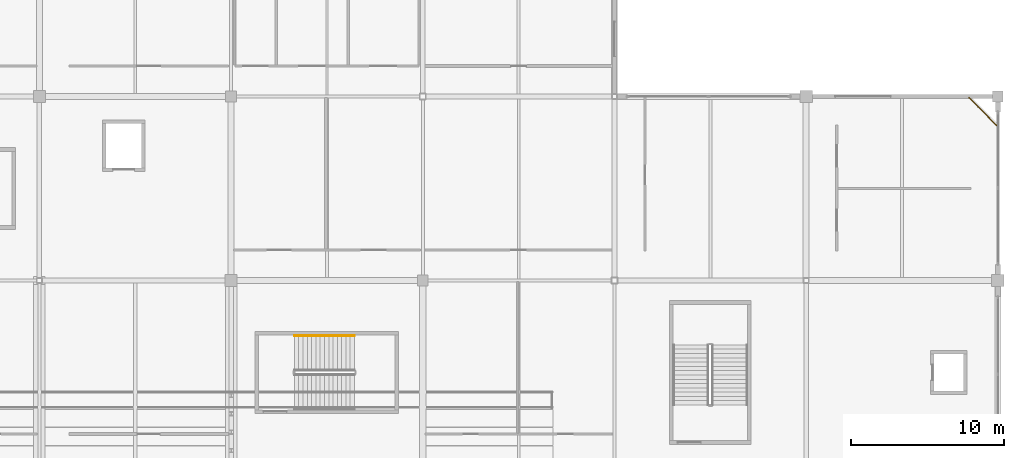
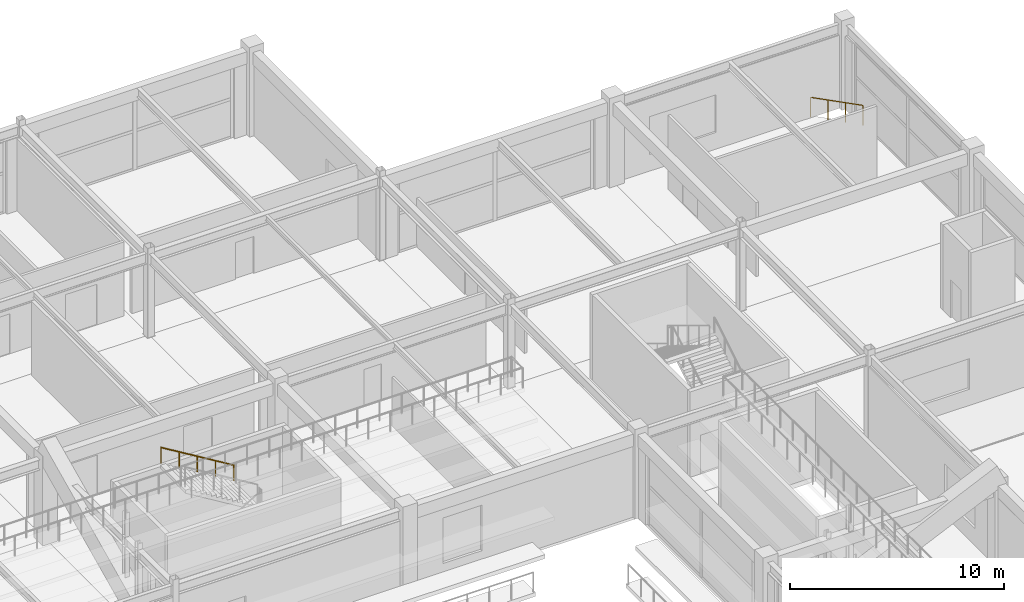
# One storey, part 128 of 128: 2 railings.
"""IFC4 building model written with IfcOpenShell, lengths in metres."""

from ifc_helpers import new_model, si_unit, direction, frame, origin, origin_2d, place, context, subcontext, project, spatial, circle, extrude, material, layer, layer_set, type_object, element, save


model = new_model("IFC4")

# Units and contexts
model_context = context("Model", 3, precision=1e-05, world=origin(), true_north=direction((0.0, 1.0)))
body_context = subcontext(model_context, "Body", "Model", "MODEL_VIEW")
ifc_project = project(units=[si_unit("LENGTHUNIT", "METRE"), si_unit("AREAUNIT", "SQUARE_METRE"), si_unit("VOLUMEUNIT", "CUBIC_METRE"), si_unit("PLANEANGLEUNIT", "RADIAN"), si_unit("MASSUNIT", "GRAM", prefix="KILO")], contexts=[model_context])

# Site, building, storey
site_placement = place(None, origin())
site = spatial("IfcSite", under=ifc_project, at=site_placement, CompositionType="ELEMENT")
building_placement = place(site_placement, origin())
building = spatial("IfcBuilding", under=site, at=building_placement, Name="Kazenohara Klinker Stadium", CompositionType="ELEMENT")
storey_placement = place(building_placement, frame((0.0, 0.0, 15.300048828125)))
storey = spatial("IfcBuildingStorey", under=building, at=storey_placement, Name="L03", CompositionType="ELEMENT", Elevation=15.300048828125)

# Railings
ifc_material_1 = material(Name="Galvanised powder-coated steel guardrail", Category="steel")
ifc_layer_1 = layer(ifc_material_1, 0.070068359375)
ifc_layer_set_1 = layer_set([ifc_layer_1], Name="Galvanised powder-coated steel guardrail")
railing_type_1 = type_object("IfcRailingType", Name="RL-GRD-1150", PredefinedType="GUARDRAIL", material=ifc_layer_set_1)
railing_1_placement = place(storey_placement, frame((199.919921875, 154.1201171875, 0.0)))
element("IfcRailing", 1, at=railing_1_placement, inside=storey, type_object=railing_type_1, Name="Corner chamfer slab-edge guardrail GR01-SLB-L03-15-12", PredefinedType="GUARDRAIL", context=body_context, shape_type="SweptSolid", body=[
    extrude(circle(Radius=0.02392578125, at=origin_2d()), frame((0.0, 0.0, 1.1259765625), z_axis=(-0.707106781187, 0.707106781187, 0.0), x_axis=(-0.707106781187, -0.707106781187, 0.0)), (0.0, 0.0, 1.0), 2.54541015625),
    extrude(circle(Radius=0.02099609375, at=origin_2d()), origin(), (0.0, 0.0, 1.0), 1.101806640625),
    extrude(circle(Radius=0.02099609375, at=origin_2d()), frame((-0.599853515625, 0.599853515625, 0.0)), (0.0, 0.0, 1.0), 1.101806640625),
    extrude(circle(Radius=0.02099609375, at=origin_2d()), frame((-1.199951171875, 1.199951171875, 0.0)), (0.0, 0.0, 1.0), 1.101806640625),
    extrude(circle(Radius=0.02099609375, at=origin_2d()), frame((-1.7998046875, 1.7998046875, 0.0)), (0.0, 0.0, 1.0), 1.101806640625),
])
ifc_material_2 = material(Name="Brushed stainless steel 304 handrail", Category="steel")
ifc_layer_2 = layer(ifc_material_2, 0.050048828125)
ifc_layer_set_2 = layer_set([ifc_layer_2], Name="Brushed stainless steel 304 handrail")
railing_type_2 = type_object("IfcRailingType", Name="RL-HND-900", PredefinedType="HANDRAIL", material=ifc_layer_set_2)
railing_2_placement = place(storey_placement, frame((158.050048828125, 140.389892578125, 2.719970703125)))
element("IfcRailing", 2, at=railing_2_placement, inside=storey, type_object=railing_type_2, Name="L03 ST20 stair handrail 2", PredefinedType="HANDRAIL", context=body_context, shape_type="SweptSolid", body=[
    extrude(circle(Radius=0.02392578125, at=origin_2d()), frame((0.0, 0.0, 0.8759765625), z_axis=(-0.854808600491, 0.0, 0.518943403973), x_axis=(0.0, -1.0, 0.0)), (0.0, 0.0, 1.0), 4.5859375),
    extrude(circle(Radius=0.02099609375, at=origin_2d()), origin(), (0.0, 0.0, 1.0), 0.851806640625),
    extrude(circle(Radius=0.02099609375, at=origin_2d()), frame((-0.97998046875, 0.0, 0.594970703125)), (0.0, 0.0, 1.0), 0.851806640625),
    extrude(circle(Radius=0.02099609375, at=origin_2d()), frame((-1.9599609375, 0.0, 1.18994140625)), (0.0, 0.0, 1.0), 0.851806640625),
    extrude(circle(Radius=0.02099609375, at=origin_2d()), frame((-2.940185546875, 0.0, 1.784912109375)), (0.0, 0.0, 1.0), 0.851806640625),
    extrude(circle(Radius=0.02099609375, at=origin_2d()), frame((-3.920166015625, 0.0, 2.3798828125)), (0.0, 0.0, 1.0), 0.851806640625),
])

save(model, "model.ifc")
